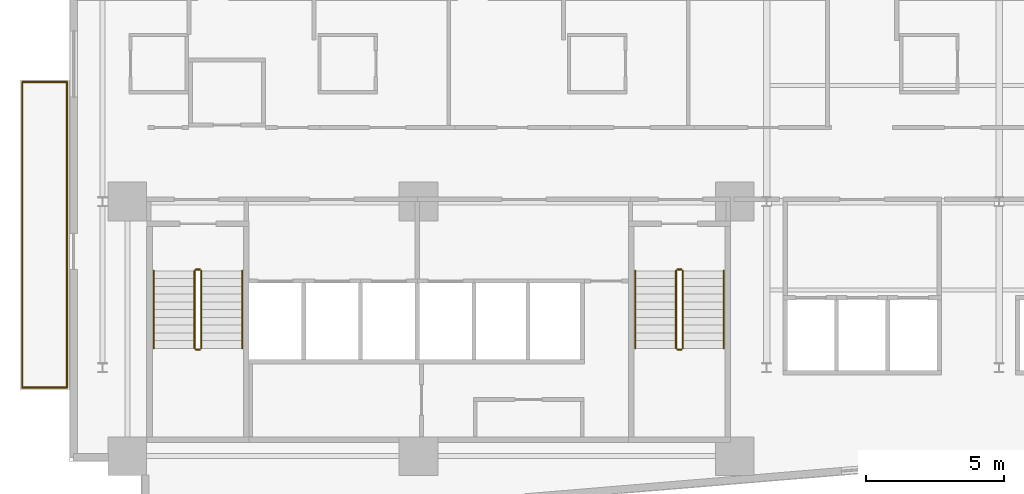
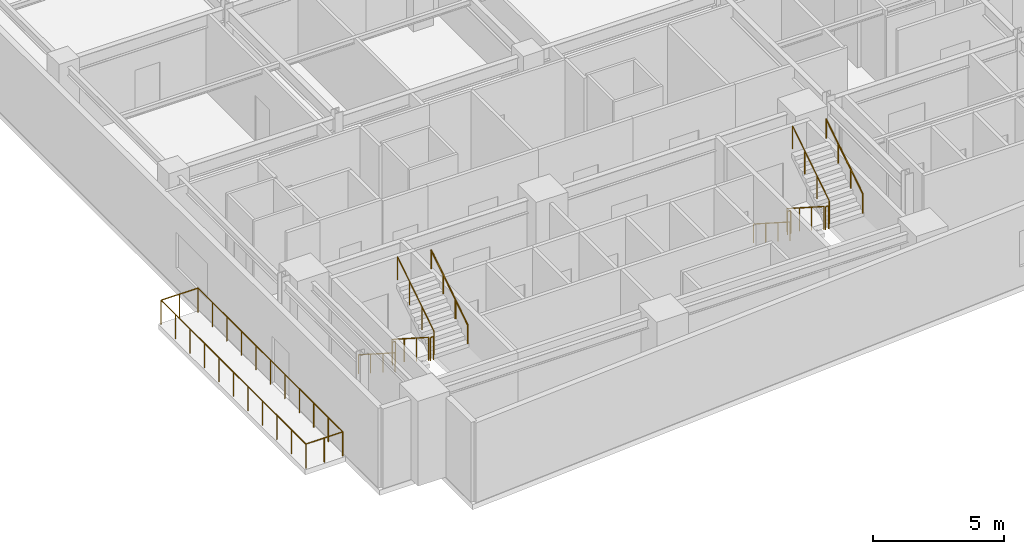
# One storey, part 17 of 20: 16 railings.
"""IFC4 building model written with IfcOpenShell, lengths in metres."""

from ifc_helpers import new_model, si_unit, direction, frame, origin, origin_2d, place, context, subcontext, project, spatial, circle, extrude, material, type_object, element, save


model = new_model("IFC4")

# Units and contexts
model_context = context("Model", 3, precision=1e-05, world=origin(), true_north=direction((0.0, 1.0)))
body_context = subcontext(model_context, "Body", "Model", "MODEL_VIEW")
ifc_project = project(units=[si_unit("LENGTHUNIT", "METRE"), si_unit("AREAUNIT", "SQUARE_METRE"), si_unit("VOLUMEUNIT", "CUBIC_METRE"), si_unit("PLANEANGLEUNIT", "RADIAN"), si_unit("MASSUNIT", "GRAM", prefix="KILO")], contexts=[model_context])

# Site, building, storey
site_placement = place(None, origin())
site = spatial("IfcSite", under=ifc_project, at=site_placement, CompositionType="ELEMENT")
building_placement = place(site_placement, origin())
building = spatial("IfcBuilding", under=site, at=building_placement, Name="Varnakote Quay Hospital", CompositionType="ELEMENT")
storey_placement = place(building_placement, frame((0.0, 0.0, 58.050048828125)))
storey = spatial("IfcBuildingStorey", under=building, at=storey_placement, Name="L14", CompositionType="ELEMENT", Elevation=58.050048828125)

# Railings
ifc_material_1 = material(Name="Anodised aluminium 6063-T6 Bronze", Category="aluminium")
railing_type_1 = type_object("IfcRailingType", Name="RLG-EXT-GUARD-1150", PredefinedType="GUARDRAIL", material=ifc_material_1)
railing_1_placement = place(storey_placement, frame((-0.075927734375, 5.280029296875, 0.0)))
element("IfcRailing", 1, at=railing_1_placement, inside=storey, type_object=railing_type_1, Name="L14 Zigzag Prow Healing Terrace Safety Guard", PredefinedType="GUARDRAIL", context=body_context, shape_type="SweptSolid", body=[
    extrude(circle(Radius=0.02392578125, at=origin_2d()), frame((0.0, 0.0, 1.1259765625), z_axis=(-1.0, 0.0, 0.0), x_axis=(0.0, -1.0, 0.0)), (0.0, 0.0, 1.0), 1.6240234375),
    extrude(circle(Radius=0.02099609375, at=origin_2d()), origin(), (0.0, 0.0, 1.0), 1.101806640625),
    extrude(circle(Radius=0.02099609375, at=origin_2d()), frame((-0.81201171875, 0.0, 0.0)), (0.0, 0.0, 1.0), 1.101806640625),
    extrude(circle(Radius=0.02099609375, at=origin_2d()), frame((-1.6240234375, 0.0, 0.0)), (0.0, 0.0, 1.0), 1.101806640625),
])
railing_2_placement = place(storey_placement, frame((-1.699951171875, 5.280029296875, 0.0)))
element("IfcRailing", 2, at=railing_2_placement, inside=storey, type_object=railing_type_1, Name="L14 Zigzag Prow Healing Terrace Safety Guard", PredefinedType="GUARDRAIL", context=body_context, shape_type="SweptSolid", body=[
    extrude(circle(Radius=0.02392578125, at=origin_2d()), frame((0.0, 0.0, 1.1259765625), z_axis=(0.0, 1.0, 0.0), x_axis=(-1.0, 0.0, 0.0)), (0.0, 0.0, 1.0), 11.0400390625),
    extrude(circle(Radius=0.02099609375, at=origin_2d()), origin(), (0.0, 0.0, 1.0), 1.101806640625),
    extrude(circle(Radius=0.02099609375, at=origin_2d()), frame((0.0, 1.10400390625, 0.0)), (0.0, 0.0, 1.0), 1.101806640625),
    extrude(circle(Radius=0.02099609375, at=origin_2d()), frame((0.0, 2.2080078125, 0.0)), (0.0, 0.0, 1.0), 1.101806640625),
    extrude(circle(Radius=0.02099609375, at=origin_2d()), frame((0.0, 3.31201171875, 0.0)), (0.0, 0.0, 1.0), 1.101806640625),
    extrude(circle(Radius=0.02099609375, at=origin_2d()), frame((0.0, 4.416015625, 0.0)), (0.0, 0.0, 1.0), 1.101806640625),
    extrude(circle(Radius=0.02099609375, at=origin_2d()), frame((0.0, 5.52001953125, 0.0)), (0.0, 0.0, 1.0), 1.101806640625),
    extrude(circle(Radius=0.02099609375, at=origin_2d()), frame((0.0, 6.6240234375, 0.0)), (0.0, 0.0, 1.0), 1.101806640625),
    extrude(circle(Radius=0.02099609375, at=origin_2d()), frame((0.0, 7.72802734375, 0.0)), (0.0, 0.0, 1.0), 1.101806640625),
    extrude(circle(Radius=0.02099609375, at=origin_2d()), frame((0.0, 8.83203125, 0.0)), (0.0, 0.0, 1.0), 1.101806640625),
    extrude(circle(Radius=0.02099609375, at=origin_2d()), frame((0.0, 9.93603515625, 0.0)), (0.0, 0.0, 1.0), 1.101806640625),
    extrude(circle(Radius=0.02099609375, at=origin_2d()), frame((0.0, 11.0400390625, 0.0)), (0.0, 0.0, 1.0), 1.101806640625),
])
railing_3_placement = place(storey_placement, frame((-1.699951171875, 16.320068359375, 0.0)))
element("IfcRailing", 3, at=railing_3_placement, inside=storey, type_object=railing_type_1, Name="L14 Zigzag Prow Healing Terrace Safety Guard", PredefinedType="GUARDRAIL", context=body_context, shape_type="SweptSolid", body=[
    extrude(circle(Radius=0.02392578125, at=origin_2d()), frame((0.0, 0.0, 1.1259765625), z_axis=(1.0, 0.0, 0.0), x_axis=(0.0, 1.0, 0.0)), (0.0, 0.0, 1.0), 1.6240234375),
    extrude(circle(Radius=0.02099609375, at=origin_2d()), origin(), (0.0, 0.0, 1.0), 1.101806640625),
    extrude(circle(Radius=0.02099609375, at=origin_2d()), frame((0.81201171875, 0.0, 0.0)), (0.0, 0.0, 1.0), 1.101806640625),
    extrude(circle(Radius=0.02099609375, at=origin_2d()), frame((1.6240234375, 0.0, 0.0)), (0.0, 0.0, 1.0), 1.101806640625),
])
railing_4_placement = place(storey_placement, frame((-0.075927734375, 16.320068359375, 0.0)))
element("IfcRailing", 4, at=railing_4_placement, inside=storey, type_object=railing_type_1, Name="L14 Zigzag Prow Healing Terrace Safety Guard", PredefinedType="GUARDRAIL", context=body_context, shape_type="SweptSolid", body=[
    extrude(circle(Radius=0.02392578125, at=origin_2d()), frame((0.0, 0.0, 1.1259765625), z_axis=(0.0, -1.0, 0.0), x_axis=(1.0, 0.0, 0.0)), (0.0, 0.0, 1.0), 11.0400390625),
    extrude(circle(Radius=0.02099609375, at=origin_2d()), origin(), (0.0, 0.0, 1.0), 1.101806640625),
    extrude(circle(Radius=0.02099609375, at=origin_2d()), frame((0.0, -1.10400390625, 0.0)), (0.0, 0.0, 1.0), 1.101806640625),
    extrude(circle(Radius=0.02099609375, at=origin_2d()), frame((0.0, -2.2080078125, 0.0)), (0.0, 0.0, 1.0), 1.101806640625),
    extrude(circle(Radius=0.02099609375, at=origin_2d()), frame((0.0, -3.31201171875, 0.0)), (0.0, 0.0, 1.0), 1.101806640625),
    extrude(circle(Radius=0.02099609375, at=origin_2d()), frame((0.0, -4.416015625, 0.0)), (0.0, 0.0, 1.0), 1.101806640625),
    extrude(circle(Radius=0.02099609375, at=origin_2d()), frame((0.0, -5.52001953125, 0.0)), (0.0, 0.0, 1.0), 1.101806640625),
    extrude(circle(Radius=0.02099609375, at=origin_2d()), frame((0.0, -6.6240234375, 0.0)), (0.0, 0.0, 1.0), 1.101806640625),
    extrude(circle(Radius=0.02099609375, at=origin_2d()), frame((0.0, -7.72802734375, 0.0)), (0.0, 0.0, 1.0), 1.101806640625),
    extrude(circle(Radius=0.02099609375, at=origin_2d()), frame((0.0, -8.83203125, 0.0)), (0.0, 0.0, 1.0), 1.101806640625),
    extrude(circle(Radius=0.02099609375, at=origin_2d()), frame((0.0, -9.93603515625, 0.0)), (0.0, 0.0, 1.0), 1.101806640625),
    extrude(circle(Radius=0.02099609375, at=origin_2d()), frame((0.0, -11.0400390625, 0.0)), (0.0, 0.0, 1.0), 1.101806640625),
])
ifc_material_2 = material(Name="Brushed stainless steel balustrade", Category="steel")
railing_type_2 = type_object("IfcRailingType", Name="RLG-STAIR-GUARD-1150", PredefinedType="GUARDRAIL", material=ifc_material_2)
railing_5_placement = place(storey_placement, frame((4.530029296875, 9.5, 0.179443359375)))
element("IfcRailing", 5, at=railing_5_placement, inside=storey, type_object=railing_type_2, Name="L14 ST-01 stair guard 1", PredefinedType="GUARDRAIL", context=body_context, shape_type="SweptSolid", body=[
    extrude(circle(Radius=0.02392578125, at=origin_2d()), frame((0.0, 0.0, 1.076171875), z_axis=(0.0, -0.841809871826, 0.539774156196), x_axis=(1.0, 0.0, 0.0)), (0.0, 0.0, 1.0), 3.326171875),
    extrude(circle(Radius=0.02099609375, at=origin_2d()), origin(), (0.0, 0.0, 1.0), 1.052001953125),
    extrude(circle(Radius=0.02099609375, at=origin_2d()), frame((0.0, -0.933349609375, 0.598388671875)), (0.0, 0.0, 1.0), 1.052001953125),
    extrude(circle(Radius=0.02099609375, at=origin_2d()), frame((0.0, -1.86669921875, 1.197021484375)), (0.0, 0.0, 1.0), 1.052001953125),
    extrude(circle(Radius=0.02099609375, at=origin_2d()), frame((0.0, -2.800048828125, 1.79541015625)), (0.0, 0.0, 1.0), 1.052001953125),
])
railing_6_placement = place(storey_placement, frame((4.580078125, 6.64990234375, 1.974853515625)))
element("IfcRailing", 6, at=railing_6_placement, inside=storey, type_object=railing_type_2, Name="L14 ST-01 stair guard 2", PredefinedType="GUARDRAIL", context=body_context, shape_type="SweptSolid", body=[
    extrude(circle(Radius=0.02392578125, at=origin_2d()), frame((0.0, 0.0, 1.076171875), z_axis=(1.0, 0.0, 0.0), x_axis=(0.0, 1.0, 0.0)), (0.0, 0.0, 1.0), 0.139892578125),
    extrude(circle(Radius=0.02099609375, at=origin_2d()), origin(), (0.0, 0.0, 1.0), 1.052001953125),
    extrude(circle(Radius=0.02099609375, at=origin_2d()), frame((0.139892578125, 0.0, 0.0)), (0.0, 0.0, 1.0), 1.052001953125),
])
railing_7_placement = place(storey_placement, frame((4.77001953125, 6.699951171875, 2.154541015625)))
element("IfcRailing", 7, at=railing_7_placement, inside=storey, type_object=railing_type_2, Name="L14 ST-01 stair guard 3", PredefinedType="GUARDRAIL", context=body_context, shape_type="SweptSolid", body=[
    extrude(circle(Radius=0.02392578125, at=origin_2d()), frame((0.0, 0.0, 1.076171875), z_axis=(0.0, 0.841809871826, 0.539774156196), x_axis=(-1.0, 0.0, 0.0)), (0.0, 0.0, 1.0), 3.326171875),
    extrude(circle(Radius=0.02099609375, at=origin_2d()), origin(), (0.0, 0.0, 1.0), 1.052001953125),
    extrude(circle(Radius=0.02099609375, at=origin_2d()), frame((0.0, 0.933349609375, 0.598388671875)), (0.0, 0.0, 1.0), 1.052001953125),
    extrude(circle(Radius=0.02099609375, at=origin_2d()), frame((0.0, 1.86669921875, 1.197021484375)), (0.0, 0.0, 1.0), 1.052001953125),
    extrude(circle(Radius=0.02099609375, at=origin_2d()), frame((0.0, 2.800048828125, 1.79541015625)), (0.0, 0.0, 1.0), 1.052001953125),
])
railing_8_placement = place(storey_placement, frame((4.580078125, 9.550048828125, 0.0)))
element("IfcRailing", 8, at=railing_8_placement, inside=storey, type_object=railing_type_2, Name="L14 ST-01 stair guard 4", PredefinedType="GUARDRAIL", context=body_context, shape_type="SweptSolid", body=[
    extrude(circle(Radius=0.02392578125, at=origin_2d()), frame((0.0, 0.0, 1.076171875), z_axis=(1.0, 0.0, 0.0), x_axis=(0.0, 1.0, 0.0)), (0.0, 0.0, 1.0), 0.139892578125),
    extrude(circle(Radius=0.02099609375, at=origin_2d()), origin(), (0.0, 0.0, 1.0), 1.052001953125),
    extrude(circle(Radius=0.02099609375, at=origin_2d()), frame((0.139892578125, 0.0, 0.0)), (0.0, 0.0, 1.0), 1.052001953125),
])
railing_9_placement = place(storey_placement, frame((21.929931640625, 9.5, 0.179443359375)))
element("IfcRailing", 9, at=railing_9_placement, inside=storey, type_object=railing_type_2, Name="L14 ST-02 stair guard 1", PredefinedType="GUARDRAIL", context=body_context, shape_type="SweptSolid", body=[
    extrude(circle(Radius=0.02392578125, at=origin_2d()), frame((0.0, 0.0, 1.076171875), z_axis=(0.0, -0.841809871826, 0.539774156196), x_axis=(1.0, 0.0, 0.0)), (0.0, 0.0, 1.0), 3.326171875),
    extrude(circle(Radius=0.02099609375, at=origin_2d()), origin(), (0.0, 0.0, 1.0), 1.052001953125),
    extrude(circle(Radius=0.02099609375, at=origin_2d()), frame((0.0, -0.933349609375, 0.598388671875)), (0.0, 0.0, 1.0), 1.052001953125),
    extrude(circle(Radius=0.02099609375, at=origin_2d()), frame((0.0, -1.86669921875, 1.197021484375)), (0.0, 0.0, 1.0), 1.052001953125),
    extrude(circle(Radius=0.02099609375, at=origin_2d()), frame((0.0, -2.800048828125, 1.79541015625)), (0.0, 0.0, 1.0), 1.052001953125),
])
railing_10_placement = place(storey_placement, frame((21.97998046875, 6.64990234375, 1.974853515625)))
element("IfcRailing", 10, at=railing_10_placement, inside=storey, type_object=railing_type_2, Name="L14 ST-02 stair guard 2", PredefinedType="GUARDRAIL", context=body_context, shape_type="SweptSolid", body=[
    extrude(circle(Radius=0.02392578125, at=origin_2d()), frame((0.0, 0.0, 1.076171875), z_axis=(1.0, 0.0, 0.0), x_axis=(0.0, 1.0, 0.0)), (0.0, 0.0, 1.0), 0.14013671875),
    extrude(circle(Radius=0.02099609375, at=origin_2d()), origin(), (0.0, 0.0, 1.0), 1.052001953125),
    extrude(circle(Radius=0.02099609375, at=origin_2d()), frame((0.14013671875, 0.0, 0.0)), (0.0, 0.0, 1.0), 1.052001953125),
])
railing_11_placement = place(storey_placement, frame((22.169921875, 6.699951171875, 2.154541015625)))
element("IfcRailing", 11, at=railing_11_placement, inside=storey, type_object=railing_type_2, Name="L14 ST-02 stair guard 3", PredefinedType="GUARDRAIL", context=body_context, shape_type="SweptSolid", body=[
    extrude(circle(Radius=0.02392578125, at=origin_2d()), frame((0.0, 0.0, 1.076171875), z_axis=(0.0, 0.841809871826, 0.539774156196), x_axis=(-1.0, 0.0, 0.0)), (0.0, 0.0, 1.0), 3.326171875),
    extrude(circle(Radius=0.02099609375, at=origin_2d()), origin(), (0.0, 0.0, 1.0), 1.052001953125),
    extrude(circle(Radius=0.02099609375, at=origin_2d()), frame((0.0, 0.933349609375, 0.598388671875)), (0.0, 0.0, 1.0), 1.052001953125),
    extrude(circle(Radius=0.02099609375, at=origin_2d()), frame((0.0, 1.86669921875, 1.197021484375)), (0.0, 0.0, 1.0), 1.052001953125),
    extrude(circle(Radius=0.02099609375, at=origin_2d()), frame((0.0, 2.800048828125, 1.79541015625)), (0.0, 0.0, 1.0), 1.052001953125),
])
railing_12_placement = place(storey_placement, frame((21.97998046875, 9.550048828125, 0.0)))
element("IfcRailing", 12, at=railing_12_placement, inside=storey, type_object=railing_type_2, Name="L14 ST-02 stair guard 4", PredefinedType="GUARDRAIL", context=body_context, shape_type="SweptSolid", body=[
    extrude(circle(Radius=0.02392578125, at=origin_2d()), frame((0.0, 0.0, 1.076171875), z_axis=(1.0, 0.0, 0.0), x_axis=(0.0, 1.0, 0.0)), (0.0, 0.0, 1.0), 0.14013671875),
    extrude(circle(Radius=0.02099609375, at=origin_2d()), origin(), (0.0, 0.0, 1.0), 1.052001953125),
    extrude(circle(Radius=0.02099609375, at=origin_2d()), frame((0.14013671875, 0.0, 0.0)), (0.0, 0.0, 1.0), 1.052001953125),
])
ifc_material_3 = material(Name="Brushed stainless steel handrail", Category="steel")
railing_type_3 = type_object("IfcRailingType", Name="RLG-STAIR-HND-920", PredefinedType="HANDRAIL", material=ifc_material_3)
railing_13_placement = place(storey_placement, frame((3.050048828125, 9.5, 0.179443359375)))
element("IfcRailing", 13, at=railing_13_placement, inside=storey, type_object=railing_type_3, Name="L14 ST-01 stair handrail 1", PredefinedType="HANDRAIL", context=body_context, shape_type="SweptSolid", body=[
    extrude(circle(Radius=0.02392578125, at=origin_2d()), frame((0.0, 0.0, 0.8759765625), z_axis=(0.0, -0.841809871826, 0.539774156196), x_axis=(1.0, 0.0, 0.0)), (0.0, 0.0, 1.0), 3.326171875),
    extrude(circle(Radius=0.02099609375, at=origin_2d()), origin(), (0.0, 0.0, 1.0), 0.851806640625),
    extrude(circle(Radius=0.02099609375, at=origin_2d()), frame((0.0, -0.933349609375, 0.598388671875)), (0.0, 0.0, 1.0), 0.851806640625),
    extrude(circle(Radius=0.02099609375, at=origin_2d()), frame((0.0, -1.86669921875, 1.197021484375)), (0.0, 0.0, 1.0), 0.851806640625),
    extrude(circle(Radius=0.02099609375, at=origin_2d()), frame((0.0, -2.800048828125, 1.79541015625)), (0.0, 0.0, 1.0), 0.851806640625),
])
railing_14_placement = place(storey_placement, frame((6.25, 6.699951171875, 2.154541015625)))
element("IfcRailing", 14, at=railing_14_placement, inside=storey, type_object=railing_type_3, Name="L14 ST-01 stair handrail 2", PredefinedType="HANDRAIL", context=body_context, shape_type="SweptSolid", body=[
    extrude(circle(Radius=0.02392578125, at=origin_2d()), frame((0.0, 0.0, 0.8759765625), z_axis=(0.0, 0.841809871826, 0.539774156196), x_axis=(-1.0, 0.0, 0.0)), (0.0, 0.0, 1.0), 3.326171875),
    extrude(circle(Radius=0.02099609375, at=origin_2d()), origin(), (0.0, 0.0, 1.0), 0.851806640625),
    extrude(circle(Radius=0.02099609375, at=origin_2d()), frame((0.0, 0.933349609375, 0.598388671875)), (0.0, 0.0, 1.0), 0.851806640625),
    extrude(circle(Radius=0.02099609375, at=origin_2d()), frame((0.0, 1.86669921875, 1.197021484375)), (0.0, 0.0, 1.0), 0.851806640625),
    extrude(circle(Radius=0.02099609375, at=origin_2d()), frame((0.0, 2.800048828125, 1.79541015625)), (0.0, 0.0, 1.0), 0.851806640625),
])
railing_15_placement = place(storey_placement, frame((20.449951171875, 9.5, 0.179443359375)))
element("IfcRailing", 15, at=railing_15_placement, inside=storey, type_object=railing_type_3, Name="L14 ST-02 stair handrail 1", PredefinedType="HANDRAIL", context=body_context, shape_type="SweptSolid", body=[
    extrude(circle(Radius=0.02392578125, at=origin_2d()), frame((0.0, 0.0, 0.8759765625), z_axis=(0.0, -0.841809871826, 0.539774156196), x_axis=(1.0, 0.0, 0.0)), (0.0, 0.0, 1.0), 3.326171875),
    extrude(circle(Radius=0.02099609375, at=origin_2d()), origin(), (0.0, 0.0, 1.0), 0.851806640625),
    extrude(circle(Radius=0.02099609375, at=origin_2d()), frame((0.0, -0.933349609375, 0.598388671875)), (0.0, 0.0, 1.0), 0.851806640625),
    extrude(circle(Radius=0.02099609375, at=origin_2d()), frame((0.0, -1.86669921875, 1.197021484375)), (0.0, 0.0, 1.0), 0.851806640625),
    extrude(circle(Radius=0.02099609375, at=origin_2d()), frame((0.0, -2.800048828125, 1.79541015625)), (0.0, 0.0, 1.0), 0.851806640625),
])
railing_16_placement = place(storey_placement, frame((23.64990234375, 6.699951171875, 2.154541015625)))
element("IfcRailing", 16, at=railing_16_placement, inside=storey, type_object=railing_type_3, Name="L14 ST-02 stair handrail 2", PredefinedType="HANDRAIL", context=body_context, shape_type="SweptSolid", body=[
    extrude(circle(Radius=0.02392578125, at=origin_2d()), frame((0.0, 0.0, 0.8759765625), z_axis=(0.0, 0.841809871826, 0.539774156196), x_axis=(-1.0, 0.0, 0.0)), (0.0, 0.0, 1.0), 3.326171875),
    extrude(circle(Radius=0.02099609375, at=origin_2d()), origin(), (0.0, 0.0, 1.0), 0.851806640625),
    extrude(circle(Radius=0.02099609375, at=origin_2d()), frame((0.0, 0.933349609375, 0.598388671875)), (0.0, 0.0, 1.0), 0.851806640625),
    extrude(circle(Radius=0.02099609375, at=origin_2d()), frame((0.0, 1.86669921875, 1.197021484375)), (0.0, 0.0, 1.0), 0.851806640625),
    extrude(circle(Radius=0.02099609375, at=origin_2d()), frame((0.0, 2.800048828125, 1.79541015625)), (0.0, 0.0, 1.0), 0.851806640625),
])

save(model, "model.ifc")
